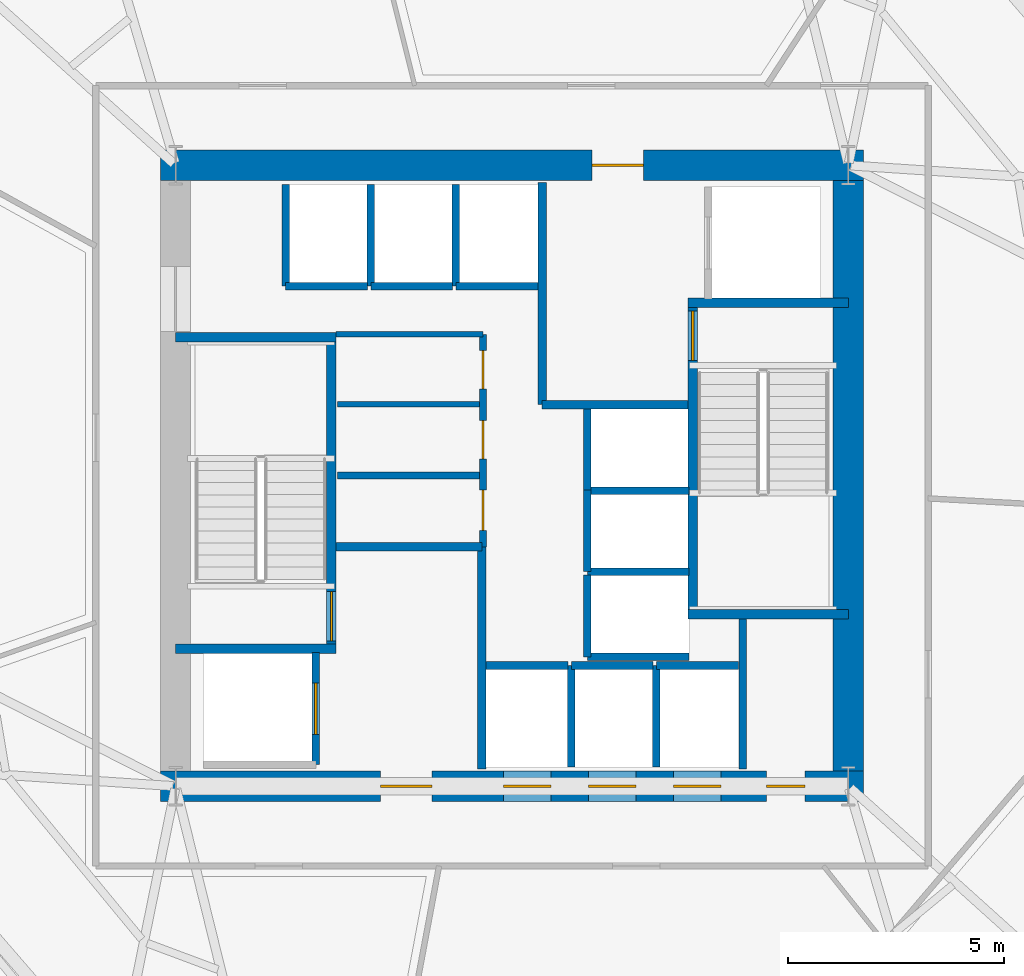
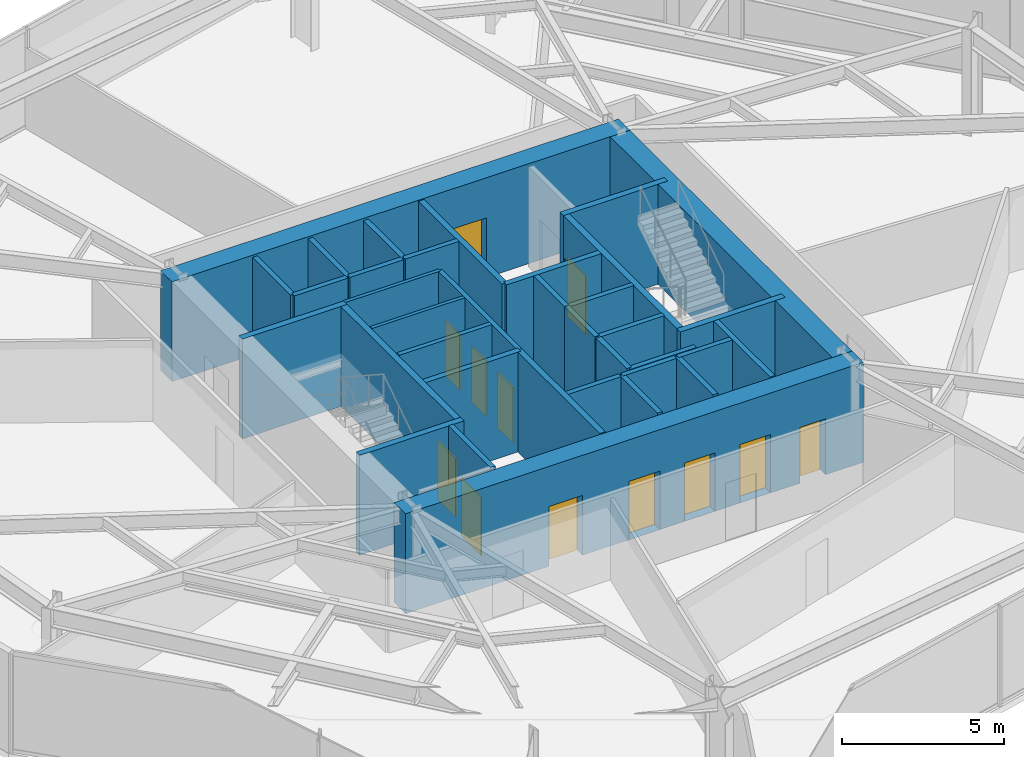
# One storey, part 6 of 10: 36 walls, 12 doors, 12 openings.
"""IFC4 building model written with IfcOpenShell, lengths in metres."""

from ifc_helpers import new_model, si_unit, direction, frame, frame_2d, origin, place, context, subcontext, project, spatial, rectangle, extrude, material, layer, layer_set, type_object, element, fill, save


model = new_model("IFC4")

# Units and contexts
model_context = context("Model", 3, precision=1e-05, world=origin(), true_north=direction((0.0, 1.0)))
body_context = subcontext(model_context, "Body", "Model", "MODEL_VIEW")
ifc_project = project(units=[si_unit("LENGTHUNIT", "METRE"), si_unit("AREAUNIT", "SQUARE_METRE"), si_unit("VOLUMEUNIT", "CUBIC_METRE"), si_unit("PLANEANGLEUNIT", "RADIAN"), si_unit("MASSUNIT", "GRAM", prefix="KILO")], contexts=[model_context])

# Site, building, storey
site_placement = place(None, origin())
site = spatial("IfcSite", under=ifc_project, at=site_placement, CompositionType="ELEMENT")
building_placement = place(site_placement, origin())
building = spatial("IfcBuilding", under=site, at=building_placement, Name="Kranzbogen Civic Tower", CompositionType="ELEMENT")
storey_placement = place(building_placement, frame((0.0, 0.0, 76.0)))
storey = spatial("IfcBuildingStorey", under=building, at=storey_placement, Name="L18", CompositionType="ELEMENT", Elevation=76.0)

# Walls
ifc_material_1 = material(Name="Insulated Metal-Stud Gypsum Partition")
ifc_layer_1 = layer(ifc_material_1, 0.125, Name="Insulated Metal-Stud Gypsum Partition")
ifc_layer_set_1 = layer_set([ifc_layer_1], Name="Insulated Metal-Stud Gypsum Partition")
wall_type_1 = type_object("IfcWallType", Name="Acoustic Inter-Room Partition 125 mm", PredefinedType="PARTITIONING", material=ifc_layer_set_1)
wall_1_placement = place(storey_placement, frame((20.919921875, 28.280029296875, 0.0), z_axis=(0.0, 0.0, 1.0), x_axis=(1.0, 0.0, 0.0)))
element("IfcWall", 1, at=wall_1_placement, inside=storey, type_object=wall_type_1, Name="L18 core auxiliary North wall", PredefinedType="PARTITIONING", context=body_context, shape_type="SweptSolid", body=[
    extrude(rectangle(XDim=3.405029296875, YDim=0.125, at=frame_2d((1.70263671875, 0.0))), origin(), (0.0, 0.0, 1.0), 3.760009765625),
])
wall_2_placement = place(storey_placement, frame((20.949951171875, 26.659912109375, 0.0), z_axis=(0.0, 0.0, 1.0), x_axis=(1.0, 0.0, 0.0)))
element("IfcWall", 2, at=wall_2_placement, inside=storey, type_object=wall_type_1, Name="L18 core auxiliary partition 2", PredefinedType="PARTITIONING", context=body_context, shape_type="SweptSolid", body=[
    extrude(rectangle(XDim=3.300048828125, YDim=0.125, at=frame_2d((1.64990234375, 0.0))), origin(), (0.0, 0.0, 1.0), 3.760009765625),
])

# Wall, openings, doors
ifc_material_2 = material(Name="Concrete C55/67", Category="concrete")
ifc_layer_2 = layer(ifc_material_2, 0.699951171875, Name="Concrete C55/67")
ifc_layer_set_2 = layer_set([ifc_layer_2], Name="Concrete C55/67")
wall_type_2 = type_object("IfcWallType", Name="Central Core Shear Wall 700 mm", PredefinedType="SHEAR", material=ifc_layer_set_2)
wall_3_placement = place(storey_placement, frame((16.85009765625, 17.800048828125, 0.0), z_axis=(0.0, 0.0, 1.0), x_axis=(1.0, 0.0, 0.0)))
wall_3 = element("IfcWall", 3, at=wall_3_placement, inside=storey, type_object=wall_type_2, Name="L18 central core South shear wall", PredefinedType="SHEAR", context=body_context, shape_type="SweptSolid", body=[
    extrude(rectangle(XDim=16.2998046875, YDim=0.699951171875, at=frame_2d((8.14990234375, 0.0))), origin(), (0.0, 0.0, 1.0), 3.760009765625),
])
opening_1_placement = place(wall_3_placement, frame((5.10009765625, 0.0, 0.0)))
opening_1 = element("IfcOpeningElement", 4, at=opening_1_placement, cuts=wall_3, Name="Opening D-EX120", PredefinedType="OPENING", context=body_context, shape_type="SweptSolid", body=[
    extrude(rectangle(XDim=1.199951171875, YDim=2.25, at=frame_2d((0.60009765625, 1.125))), frame((0.0, 0.35986328125, 0.0), z_axis=(0.0, -1.0, 0.0), x_axis=(1.0, 0.0, 0.0)), (0.0, 0.0, 1.0), 0.719970703125),
])
opening_2_placement = place(wall_3_placement, frame((14.050048828125, 0.0, 0.0)))
opening_2 = element("IfcOpeningElement", 5, at=opening_2_placement, cuts=wall_3, Name="Opening D-WC90", PredefinedType="OPENING", context=body_context, shape_type="SweptSolid", body=[
    extrude(rectangle(XDim=0.89990234375, YDim=2.10009765625, at=frame_2d((0.449951171875, 1.050048828125))), frame((0.0, 0.35986328125, 0.0), z_axis=(0.0, -1.0, 0.0), x_axis=(1.0, 0.0, 0.0)), (0.0, 0.0, 1.0), 0.719970703125),
])
opening_3_placement = place(wall_3_placement, frame((7.949951171875, 0.0, 0.0)))
opening_3 = element("IfcOpeningElement", 6, at=opening_3_placement, cuts=wall_3, Name="Opening LD-LP-01", PredefinedType="OPENING", context=body_context, shape_type="SweptSolid", body=[
    extrude(rectangle(XDim=1.10009765625, YDim=2.199951171875, at=frame_2d((0.550048828125, 1.10009765625))), frame((0.0, 0.35986328125, 0.0), z_axis=(0.0, -1.0, 0.0), x_axis=(1.0, 0.0, 0.0)), (0.0, 0.0, 1.0), 0.719970703125),
])
opening_4_placement = place(wall_3_placement, frame((9.925048828125, 0.0, 0.0)))
opening_4 = element("IfcOpeningElement", 7, at=opening_4_placement, cuts=wall_3, Name="Opening LD-LP-02", PredefinedType="OPENING", context=body_context, shape_type="SweptSolid", body=[
    extrude(rectangle(XDim=1.10009765625, YDim=2.199951171875, at=frame_2d((0.550048828125, 1.10009765625))), frame((0.0, 0.35986328125, 0.0), z_axis=(0.0, -1.0, 0.0), x_axis=(1.0, 0.0, 0.0)), (0.0, 0.0, 1.0), 0.719970703125),
])
opening_5_placement = place(wall_3_placement, frame((11.89990234375, 0.0, 0.0)))
opening_5 = element("IfcOpeningElement", 8, at=opening_5_placement, cuts=wall_3, Name="Opening LD-LP-03", PredefinedType="OPENING", context=body_context, shape_type="SweptSolid", body=[
    extrude(rectangle(XDim=1.10009765625, YDim=2.199951171875, at=frame_2d((0.550048828125, 1.10009765625))), frame((0.0, 0.35986328125, 0.0), z_axis=(0.0, -1.0, 0.0), x_axis=(1.0, 0.0, 0.0)), (0.0, 0.0, 1.0), 0.719970703125),
])
ifc_material_3 = material(Name="Steel S355", Category="steel")
door_type_1 = type_object("IfcDoorType", Name="Exit Passageway Fire Door 1200x2250", OperationType="NOTDEFINED", PredefinedType="DOOR", material=ifc_material_3)
door_1_placement = place(opening_1_placement, origin())
door_1 = element("IfcDoor", 9, at=door_1_placement, inside=storey, type_object=door_type_1, Name="L18 West firefighting lobby corridor door", OperationType="SINGLE_SWING_RIGHT", OverallHeight=2.25, OverallWidth=1.199951171875, PredefinedType="DOOR", context=body_context, shape_type="SweptSolid", body=[
    extrude(rectangle(XDim=1.199951171875, YDim=2.25, at=frame_2d((0.60009765625, 1.125))), frame((0.0, 0.02490234375, 0.0), z_axis=(0.0, -1.0, 0.0), x_axis=(1.0, 0.0, 0.0)), (0.0, 0.0, 1.0), 0.050048828125),
])
fill(opening_1, door_1)
ifc_material_4 = material(Name="Pale Anodised Aluminium", Category="aluminium")
door_type_2 = type_object("IfcDoorType", Name="Passenger Lift Sliding Landing Door 1100x2200", OperationType="DOUBLE_DOOR_SLIDING", PredefinedType="DOOR", material=ifc_material_4)
door_2_placement = place(opening_3_placement, origin())
door_2 = element("IfcDoor", 10, at=door_2_placement, inside=storey, type_object=door_type_2, Name="L18 lift LP-01 sliding landing door", OperationType="DOUBLE_DOOR_SLIDING", OverallHeight=2.199951171875, OverallWidth=1.10009765625, PredefinedType="DOOR", context=body_context, shape_type="SweptSolid", body=[
    extrude(rectangle(XDim=1.10009765625, YDim=2.199951171875, at=frame_2d((0.550048828125, 1.10009765625))), frame((0.0, 0.02490234375, 0.0), z_axis=(0.0, -1.0, 0.0), x_axis=(1.0, 0.0, 0.0)), (0.0, 0.0, 1.0), 0.050048828125),
])
fill(opening_3, door_2)
door_3_placement = place(opening_4_placement, origin())
door_3 = element("IfcDoor", 11, at=door_3_placement, inside=storey, type_object=door_type_2, Name="L18 lift LP-02 sliding landing door", OperationType="DOUBLE_DOOR_SLIDING", OverallHeight=2.199951171875, OverallWidth=1.10009765625, PredefinedType="DOOR", context=body_context, shape_type="SweptSolid", body=[
    extrude(rectangle(XDim=1.10009765625, YDim=2.199951171875, at=frame_2d((0.550048828125, 1.10009765625))), frame((0.0, 0.02490234375, 0.0), z_axis=(0.0, -1.0, 0.0), x_axis=(1.0, 0.0, 0.0)), (0.0, 0.0, 1.0), 0.050048828125),
])
fill(opening_4, door_3)
door_4_placement = place(opening_5_placement, origin())
door_4 = element("IfcDoor", 12, at=door_4_placement, inside=storey, type_object=door_type_2, Name="L18 lift LP-03 sliding landing door", OperationType="DOUBLE_DOOR_SLIDING", OverallHeight=2.199951171875, OverallWidth=1.10009765625, PredefinedType="DOOR", context=body_context, shape_type="SweptSolid", body=[
    extrude(rectangle(XDim=1.10009765625, YDim=2.199951171875, at=frame_2d((0.550048828125, 1.10009765625))), frame((0.0, 0.02490234375, 0.0), z_axis=(0.0, -1.0, 0.0), x_axis=(1.0, 0.0, 0.0)), (0.0, 0.0, 1.0), 0.050048828125),
])
fill(opening_5, door_4)
ifc_material_5 = material(Name="Moisture-Resistant Laminate")
door_type_3 = type_object("IfcDoorType", Name="Standard Restroom and Store Door 900x2100", OperationType="NOTDEFINED", PredefinedType="DOOR", material=ifc_material_5)
door_5_placement = place(opening_2_placement, origin())
door_5 = element("IfcDoor", 13, at=door_5_placement, inside=storey, type_object=door_type_3, Name="L18 East electrical riser access door", OperationType="SINGLE_SWING_LEFT", OverallHeight=2.10009765625, OverallWidth=0.89990234375, PredefinedType="DOOR", context=body_context, shape_type="SweptSolid", body=[
    extrude(rectangle(XDim=0.89990234375, YDim=2.10009765625, at=frame_2d((0.449951171875, 1.050048828125))), frame((0.0, 0.02490234375, 0.0), z_axis=(0.0, -1.0, 0.0), x_axis=(1.0, 0.0, 0.0)), (0.0, 0.0, 1.0), 0.050048828125),
])
fill(opening_2, door_5)

# Wall, opening, door
wall_4_placement = place(storey_placement, frame((33.14990234375, 32.199951171875, 0.0), z_axis=(0.0, 0.0, 1.0), x_axis=(-1.0, 0.0, 0.0)))
wall_4 = element("IfcWall", 14, at=wall_4_placement, inside=storey, type_object=wall_type_2, Name="L18 central core North shear wall", PredefinedType="SHEAR", context=body_context, shape_type="SweptSolid", body=[
    extrude(rectangle(XDim=16.2998046875, YDim=0.699951171875, at=frame_2d((8.14990234375, 0.0))), origin(), (0.0, 0.0, 1.0), 3.760009765625),
])
opening_6_placement = place(wall_4_placement, frame((5.10009765625, 0.0, 0.0)))
opening_6 = element("IfcOpeningElement", 15, at=opening_6_placement, cuts=wall_4, Name="Opening D-EX120", PredefinedType="OPENING", context=body_context, shape_type="SweptSolid", body=[
    extrude(rectangle(XDim=1.199951171875, YDim=2.25, at=frame_2d((0.60009765625, 1.125))), frame((0.0, 0.35986328125, 0.0), z_axis=(0.0, -1.0, 0.0), x_axis=(1.0, 0.0, 0.0)), (0.0, 0.0, 1.0), 0.719970703125),
])
door_6_placement = place(opening_6_placement, origin())
door_6 = element("IfcDoor", 16, at=door_6_placement, inside=storey, type_object=door_type_1, Name="L18 East firefighting lobby corridor door", OperationType="SINGLE_SWING_LEFT", OverallHeight=2.25, OverallWidth=1.199951171875, PredefinedType="DOOR", context=body_context, shape_type="SweptSolid", body=[
    extrude(rectangle(XDim=1.199951171875, YDim=2.25, at=frame_2d((0.60009765625, 1.125))), frame((0.0, 0.02490234375, 0.0), z_axis=(0.0, -1.0, 0.0), x_axis=(1.0, 0.0, 0.0)), (0.0, 0.0, 1.0), 0.050048828125),
])
fill(opening_6, door_6)

# Wall
wall_5_placement = place(storey_placement, frame((32.800048828125, 18.14990234375, 0.0), z_axis=(0.0, 0.0, 1.0), x_axis=(0.0, 1.0, 0.0)))
element("IfcWall", 17, at=wall_5_placement, inside=storey, type_object=wall_type_2, Name="L18 central core East shear wall", PredefinedType="SHEAR", context=body_context, shape_type="SweptSolid", body=[
    extrude(rectangle(XDim=13.7001953125, YDim=0.699951171875, at=frame_2d((6.85009765625, 0.0))), origin(), (0.0, 0.0, 1.0), 3.760009765625),
])

# Wall, opening, door
ifc_material_6 = material(Name="Concrete C45/55", Category="concrete")
ifc_layer_3 = layer(ifc_material_6, 0.219970703125, Name="Concrete C45/55")
ifc_layer_set_3 = layer_set([ifc_layer_3], Name="Concrete C45/55")
wall_type_3 = type_object("IfcWallType", Name="Core Internal Stair Structural Wall 220 mm", PredefinedType="SOLIDWALL", material=ifc_layer_set_3)
wall_6_placement = place(storey_placement, frame((20.81005859375, 20.989990234375, 0.0), z_axis=(0.0, 0.0, 1.0), x_axis=(0.0, 1.0, 0.0)))
wall_6 = element("IfcWall", 18, at=wall_6_placement, inside=storey, type_object=wall_type_3, Name="L18 ST-T1 East structural stair wall", PredefinedType="SOLIDWALL", context=body_context, shape_type="SweptSolid", body=[
    extrude(rectangle(XDim=7.219970703125, YDim=0.219970703125, at=frame_2d((3.60986328125, 0.0))), origin(), (0.0, 0.0, 1.0), 3.760009765625),
])
opening_7_placement = place(wall_6_placement, frame((0.179931640625, 0.0, 0.0)))
opening_7 = element("IfcOpeningElement", 19, at=opening_7_placement, cuts=wall_6, Name="Opening D-ST90", PredefinedType="OPENING", context=body_context, shape_type="SweptSolid", body=[
    extrude(rectangle(XDim=1.14990234375, YDim=2.199951171875, at=frame_2d((0.574951171875, 1.10009765625))), frame((0.0, 0.1201171875, 0.0), z_axis=(0.0, -1.0, 0.0), x_axis=(1.0, 0.0, 0.0)), (0.0, 0.0, 1.0), 0.239990234375),
])
door_type_4 = type_object("IfcDoorType", Name="Pressurized Stair and Lobby Fire Door 1150x2200", OperationType="NOTDEFINED", PredefinedType="DOOR", material=ifc_material_3)
door_7_placement = place(opening_7_placement, origin())
door_7 = element("IfcDoor", 20, at=door_7_placement, inside=storey, type_object=door_type_4, Name="L18 Stair ST-T1 fire door", OperationType="SINGLE_SWING_RIGHT", OverallHeight=2.199951171875, OverallWidth=1.14990234375, PredefinedType="DOOR", context=body_context, shape_type="SweptSolid", body=[
    extrude(rectangle(XDim=1.14990234375, YDim=2.199951171875, at=frame_2d((0.574951171875, 1.10009765625))), frame((0.0, 0.02490234375, 0.0), z_axis=(0.0, -1.0, 0.0), x_axis=(1.0, 0.0, 0.0)), (0.0, 0.0, 1.0), 0.050048828125),
])
fill(opening_7, door_7)

# Walls
for number, where, z_axis, x_axis, name in (
    (21, (17.199951171875, 20.989990234375, 0.0), (0.0, 0.0, 1.0), (1.0, 0.0, 0.0), "L18 ST-T1 South structural stair wall"),
    (22, (17.199951171875, 28.2099609375, 0.0), (0.0, 0.0, 1.0), (1.0, 0.0, 0.0), "L18 ST-T1 North structural stair wall"),
):
    element("IfcWall", number, at=place(storey_placement, frame(where, z_axis=z_axis, x_axis=x_axis)), inside=storey, type_object=wall_type_3, Name=name, PredefinedType="SOLIDWALL", context=body_context, shape_type="SweptSolid", body=[
        extrude(rectangle(XDim=3.719970703125, YDim=0.219970703125, at=frame_2d((1.85986328125, 0.0))), origin(), (0.0, 0.0, 1.0), 3.760009765625),
    ])

# Wall, opening, door
wall_7_placement = place(storey_placement, frame((29.18994140625, 21.7900390625, 0.0), z_axis=(0.0, 0.0, 1.0), x_axis=(0.0, 1.0, 0.0)))
wall_7 = element("IfcWall", 23, at=wall_7_placement, inside=storey, type_object=wall_type_3, Name="L18 ST-T2 West structural stair wall", PredefinedType="SOLIDWALL", context=body_context, shape_type="SweptSolid", body=[
    extrude(rectangle(XDim=7.219970703125, YDim=0.219970703125, at=frame_2d((3.60986328125, 0.0))), origin(), (0.0, 0.0, 1.0), 3.760009765625),
])
opening_8_placement = place(wall_7_placement, frame((5.8798828125, 0.0, 0.0)))
opening_8 = element("IfcOpeningElement", 24, at=opening_8_placement, cuts=wall_7, Name="Opening D-ST90", PredefinedType="OPENING", context=body_context, shape_type="SweptSolid", body=[
    extrude(rectangle(XDim=1.14990234375, YDim=2.199951171875, at=frame_2d((0.574951171875, 1.10009765625))), frame((0.0, 0.1201171875, 0.0), z_axis=(0.0, -1.0, 0.0), x_axis=(1.0, 0.0, 0.0)), (0.0, 0.0, 1.0), 0.239990234375),
])
door_8_placement = place(opening_8_placement, origin())
door_8 = element("IfcDoor", 25, at=door_8_placement, inside=storey, type_object=door_type_4, Name="L18 Stair ST-T2 fire door", OperationType="SINGLE_SWING_LEFT", OverallHeight=2.199951171875, OverallWidth=1.14990234375, PredefinedType="DOOR", context=body_context, shape_type="SweptSolid", body=[
    extrude(rectangle(XDim=1.14990234375, YDim=2.199951171875, at=frame_2d((0.574951171875, 1.10009765625))), frame((0.0, 0.02490234375, 0.0), z_axis=(0.0, -1.0, 0.0), x_axis=(1.0, 0.0, 0.0)), (0.0, 0.0, 1.0), 0.050048828125),
])
fill(opening_8, door_8)

# Walls
for number, where, z_axis, x_axis, name in (
    (26, (29.080078125, 21.7900390625, 0.0), (0.0, 0.0, 1.0), (1.0, 0.0, 0.0), "L18 ST-T2 South structural stair wall"),
    (27, (29.080078125, 29.010009765625, 0.0), (0.0, 0.0, 1.0), (1.0, 0.0, 0.0), "L18 ST-T2 North structural stair wall"),
):
    element("IfcWall", number, at=place(storey_placement, frame(where, z_axis=z_axis, x_axis=x_axis)), inside=storey, type_object=wall_type_3, Name=name, PredefinedType="SOLIDWALL", context=body_context, shape_type="SweptSolid", body=[
        extrude(rectangle(XDim=3.719970703125, YDim=0.219970703125, at=frame_2d((1.85986328125, 0.0))), origin(), (0.0, 0.0, 1.0), 3.760009765625),
    ])
ifc_material_7 = material(Name="Gypsum Fireboard and Concrete Block", Category="concrete")
ifc_layer_4 = layer(ifc_material_7, 0.199951171875, Name="Gypsum Fireboard and Concrete Block")
ifc_layer_set_4 = layer_set([ifc_layer_4], Name="Gypsum Fireboard and Concrete Block")
wall_type_4 = type_object("IfcWallType", Name="Fire-Rated Exit Passageway and Stair Wall 200 mm", PredefinedType="PARTITIONING", material=ifc_layer_set_4)
wall_8_placement = place(storey_placement, frame((24.300048828125, 18.199951171875, 0.0), z_axis=(0.0, 0.0, 1.0), x_axis=(0.0, 1.0, 0.0)))
element("IfcWall", 28, at=wall_8_placement, inside=storey, type_object=wall_type_4, Name="L18 West firefighting lobby East wall", PredefinedType="PARTITIONING", context=body_context, shape_type="SweptSolid", body=[
    extrude(rectangle(XDim=5.150146484375, YDim=0.199951171875, at=frame_2d((2.5751953125, 0.0))), origin(), (0.0, 0.0, 1.0), 3.760009765625),
])
wall_9_placement = place(storey_placement, frame((20.919921875, 23.35009765625, 0.0), z_axis=(0.0, 0.0, 1.0), x_axis=(1.0, 0.0, 0.0)))
element("IfcWall", 29, at=wall_9_placement, inside=storey, type_object=wall_type_4, Name="L18 West firefighting lobby North wall", PredefinedType="PARTITIONING", context=body_context, shape_type="SweptSolid", body=[
    extrude(rectangle(XDim=3.380126953125, YDim=0.199951171875, at=frame_2d((1.68994140625, 0.0))), origin(), (0.0, 0.0, 1.0), 3.760009765625),
])
wall_10_placement = place(storey_placement, frame((25.699951171875, 26.64990234375, 0.0), z_axis=(0.0, 0.0, 1.0), x_axis=(0.0, 1.0, 0.0)))
element("IfcWall", 30, at=wall_10_placement, inside=storey, type_object=wall_type_4, Name="L18 East firefighting lobby West wall", PredefinedType="PARTITIONING", context=body_context, shape_type="SweptSolid", body=[
    extrude(rectangle(XDim=5.150146484375, YDim=0.199951171875, at=frame_2d((2.5751953125, 0.0))), origin(), (0.0, 0.0, 1.0), 3.760009765625),
])
wall_11_placement = place(storey_placement, frame((25.699951171875, 26.64990234375, 0.0), z_axis=(0.0, 0.0, 1.0), x_axis=(1.0, 0.0, 0.0)))
element("IfcWall", 31, at=wall_11_placement, inside=storey, type_object=wall_type_4, Name="L18 East firefighting lobby South wall", PredefinedType="PARTITIONING", context=body_context, shape_type="SweptSolid", body=[
    extrude(rectangle(XDim=3.380126953125, YDim=0.199951171875, at=frame_2d((1.68994140625, 0.0))), origin(), (0.0, 0.0, 1.0), 3.760009765625),
])
ifc_material_8 = material(Name="Gypsum Fireboard Shaftliner")
ifc_layer_5 = layer(ifc_material_8, 0.175048828125, Name="Gypsum Fireboard Shaftliner")
ifc_layer_set_5 = layer_set([ifc_layer_5], Name="Gypsum Fireboard Shaftliner")
wall_type_5 = type_object("IfcWallType", Name="Fire-Rated Lift and Service Shaft Wall 175 mm", PredefinedType="PARTITIONING", material=ifc_layer_set_5)
wall_12_placement = place(storey_placement, frame((30.35009765625, 18.199951171875, 0.0), z_axis=(0.0, 0.0, 1.0), x_axis=(0.0, 1.0, 0.0)))
element("IfcWall", 32, at=wall_12_placement, inside=storey, type_object=wall_type_5, Name="L18 East core riser West wall", PredefinedType="PARTITIONING", context=body_context, shape_type="SweptSolid", body=[
    extrude(rectangle(XDim=3.47998046875, YDim=0.175048828125, at=frame_2d((1.739990234375, 0.0))), origin(), (0.0, 0.0, 1.0), 3.760009765625),
])
wall_13_placement = place(storey_placement, frame((24.39990234375, 20.60009765625, 0.0), z_axis=(0.0, 0.0, 1.0), x_axis=(1.0, 0.0, 0.0)))
element("IfcWall", 33, at=wall_13_placement, inside=storey, type_object=wall_type_5, Name="L18 lift LP-01 rear wall", PredefinedType="PARTITIONING", context=body_context, shape_type="SweptSolid", body=[
    extrude(rectangle(XDim=1.900146484375, YDim=0.175048828125, at=frame_2d((0.9501953125, 0.0))), origin(), (0.0, 0.0, 1.0), 3.760009765625),
])
wall_14_placement = place(storey_placement, frame((26.375, 20.60009765625, 0.0), z_axis=(0.0, 0.0, 1.0), x_axis=(1.0, 0.0, 0.0)))
element("IfcWall", 34, at=wall_14_placement, inside=storey, type_object=wall_type_5, Name="L18 lift LP-02 rear wall", PredefinedType="PARTITIONING", context=body_context, shape_type="SweptSolid", body=[
    extrude(rectangle(XDim=1.89990234375, YDim=0.175048828125, at=frame_2d((0.949951171875, 0.0))), origin(), (0.0, 0.0, 1.0), 3.760009765625),
])
wall_15_placement = place(storey_placement, frame((26.375, 18.25, 0.0), z_axis=(0.0, 0.0, 1.0), x_axis=(0.0, 1.0, 0.0)))
element("IfcWall", 35, at=wall_15_placement, inside=storey, type_object=wall_type_5, Name="L18 lift LP-02 side wall", PredefinedType="PARTITIONING", context=body_context, shape_type="SweptSolid", body=[
    extrude(rectangle(XDim=2.35009765625, YDim=0.175048828125, at=frame_2d((1.175048828125, 0.0))), origin(), (0.0, 0.0, 1.0), 3.760009765625),
])
wall_16_placement = place(storey_placement, frame((28.35009765625, 20.60009765625, 0.0), z_axis=(0.0, 0.0, 1.0), x_axis=(1.0, 0.0, 0.0)))
element("IfcWall", 36, at=wall_16_placement, inside=storey, type_object=wall_type_5, Name="L18 lift LP-03 rear wall", PredefinedType="PARTITIONING", context=body_context, shape_type="SweptSolid", body=[
    extrude(rectangle(XDim=1.89990234375, YDim=0.175048828125, at=frame_2d((0.949951171875, 0.0))), origin(), (0.0, 0.0, 1.0), 3.760009765625),
])
wall_17_placement = place(storey_placement, frame((28.35009765625, 18.25, 0.0), z_axis=(0.0, 0.0, 1.0), x_axis=(0.0, 1.0, 0.0)))
element("IfcWall", 37, at=wall_17_placement, inside=storey, type_object=wall_type_5, Name="L18 lift LP-03 side wall", PredefinedType="PARTITIONING", context=body_context, shape_type="SweptSolid", body=[
    extrude(rectangle(XDim=2.35009765625, YDim=0.175048828125, at=frame_2d((1.175048828125, 0.0))), origin(), (0.0, 0.0, 1.0), 3.760009765625),
])
wall_18_placement = place(storey_placement, frame((19.75, 29.39990234375, 0.0), z_axis=(0.0, 0.0, 1.0), x_axis=(1.0, 0.0, 0.0)))
element("IfcWall", 38, at=wall_18_placement, inside=storey, type_object=wall_type_5, Name="L18 lift MP-01 rear wall", PredefinedType="PARTITIONING", context=body_context, shape_type="SweptSolid", body=[
    extrude(rectangle(XDim=1.89990234375, YDim=0.175048828125, at=frame_2d((0.949951171875, 0.0))), origin(), (0.0, 0.0, 1.0), 3.760009765625),
])
wall_19_placement = place(storey_placement, frame((19.75, 29.39990234375, 0.0), z_axis=(0.0, 0.0, 1.0), x_axis=(0.0, 1.0, 0.0)))
element("IfcWall", 39, at=wall_19_placement, inside=storey, type_object=wall_type_5, Name="L18 lift MP-01 side wall", PredefinedType="PARTITIONING", context=body_context, shape_type="SweptSolid", body=[
    extrude(rectangle(XDim=2.35009765625, YDim=0.175048828125, at=frame_2d((1.175048828125, 0.0))), origin(), (0.0, 0.0, 1.0), 3.760009765625),
])
wall_20_placement = place(storey_placement, frame((21.72509765625, 29.39990234375, 0.0), z_axis=(0.0, 0.0, 1.0), x_axis=(1.0, 0.0, 0.0)))
element("IfcWall", 40, at=wall_20_placement, inside=storey, type_object=wall_type_5, Name="L18 lift MP-02 rear wall", PredefinedType="PARTITIONING", context=body_context, shape_type="SweptSolid", body=[
    extrude(rectangle(XDim=1.89990234375, YDim=0.175048828125, at=frame_2d((0.949951171875, 0.0))), origin(), (0.0, 0.0, 1.0), 3.760009765625),
])
wall_21_placement = place(storey_placement, frame((21.72509765625, 29.39990234375, 0.0), z_axis=(0.0, 0.0, 1.0), x_axis=(0.0, 1.0, 0.0)))
element("IfcWall", 41, at=wall_21_placement, inside=storey, type_object=wall_type_5, Name="L18 lift MP-02 side wall", PredefinedType="PARTITIONING", context=body_context, shape_type="SweptSolid", body=[
    extrude(rectangle(XDim=2.35009765625, YDim=0.175048828125, at=frame_2d((1.175048828125, 0.0))), origin(), (0.0, 0.0, 1.0), 3.760009765625),
])
wall_22_placement = place(storey_placement, frame((23.699951171875, 29.39990234375, 0.0), z_axis=(0.0, 0.0, 1.0), x_axis=(1.0, 0.0, 0.0)))
element("IfcWall", 42, at=wall_22_placement, inside=storey, type_object=wall_type_5, Name="L18 lift MP-03 rear wall", PredefinedType="PARTITIONING", context=body_context, shape_type="SweptSolid", body=[
    extrude(rectangle(XDim=1.900146484375, YDim=0.175048828125, at=frame_2d((0.9501953125, 0.0))), origin(), (0.0, 0.0, 1.0), 3.760009765625),
])
wall_23_placement = place(storey_placement, frame((23.699951171875, 29.39990234375, 0.0), z_axis=(0.0, 0.0, 1.0), x_axis=(0.0, 1.0, 0.0)))
element("IfcWall", 43, at=wall_23_placement, inside=storey, type_object=wall_type_5, Name="L18 lift MP-03 side wall", PredefinedType="PARTITIONING", context=body_context, shape_type="SweptSolid", body=[
    extrude(rectangle(XDim=2.35009765625, YDim=0.175048828125, at=frame_2d((1.175048828125, 0.0))), origin(), (0.0, 0.0, 1.0), 3.760009765625),
])
wall_24_placement = place(storey_placement, frame((26.75, 20.800048828125, 0.0), z_axis=(0.0, 0.0, 1.0), x_axis=(0.0, 1.0, 0.0)))
element("IfcWall", 44, at=wall_24_placement, inside=storey, type_object=wall_type_5, Name="L18 lift HP-01 landing wall", PredefinedType="PARTITIONING", context=body_context, shape_type="SweptSolid", body=[
    extrude(rectangle(XDim=1.89990234375, YDim=0.175048828125, at=frame_2d((0.949951171875, 0.0))), origin(), (0.0, 0.0, 1.0), 3.760009765625),
])
wall_25_placement = place(storey_placement, frame((26.75, 20.800048828125, 0.0), z_axis=(0.0, 0.0, 1.0), x_axis=(1.0, 0.0, 0.0)))
element("IfcWall", 45, at=wall_25_placement, inside=storey, type_object=wall_type_5, Name="L18 lift HP-01 side wall", PredefinedType="PARTITIONING", context=body_context, shape_type="SweptSolid", body=[
    extrude(rectangle(XDim=2.35009765625, YDim=0.175048828125, at=frame_2d((1.175048828125, 0.0))), origin(), (0.0, 0.0, 1.0), 3.760009765625),
])
wall_26_placement = place(storey_placement, frame((26.75, 22.77490234375, 0.0), z_axis=(0.0, 0.0, 1.0), x_axis=(0.0, 1.0, 0.0)))
element("IfcWall", 46, at=wall_26_placement, inside=storey, type_object=wall_type_5, Name="L18 lift HP-02 landing wall", PredefinedType="PARTITIONING", context=body_context, shape_type="SweptSolid", body=[
    extrude(rectangle(XDim=1.900146484375, YDim=0.175048828125, at=frame_2d((0.9501953125, 0.0))), origin(), (0.0, 0.0, 1.0), 3.760009765625),
])
wall_27_placement = place(storey_placement, frame((26.75, 22.77490234375, 0.0), z_axis=(0.0, 0.0, 1.0), x_axis=(1.0, 0.0, 0.0)))
element("IfcWall", 47, at=wall_27_placement, inside=storey, type_object=wall_type_5, Name="L18 lift HP-02 side wall", PredefinedType="PARTITIONING", context=body_context, shape_type="SweptSolid", body=[
    extrude(rectangle(XDim=2.35009765625, YDim=0.175048828125, at=frame_2d((1.175048828125, 0.0))), origin(), (0.0, 0.0, 1.0), 3.760009765625),
])
wall_28_placement = place(storey_placement, frame((26.75, 24.64990234375, 0.0), z_axis=(0.0, 0.0, 1.0), x_axis=(0.0, 1.0, 0.0)))
element("IfcWall", 48, at=wall_28_placement, inside=storey, type_object=wall_type_5, Name="L18 lift HP-03 landing wall", PredefinedType="PARTITIONING", context=body_context, shape_type="SweptSolid", body=[
    extrude(rectangle(XDim=1.900146484375, YDim=0.175048828125, at=frame_2d((0.9501953125, 0.0))), origin(), (0.0, 0.0, 1.0), 3.760009765625),
])
wall_29_placement = place(storey_placement, frame((26.75, 24.64990234375, 0.0), z_axis=(0.0, 0.0, 1.0), x_axis=(1.0, 0.0, 0.0)))
element("IfcWall", 49, at=wall_29_placement, inside=storey, type_object=wall_type_5, Name="L18 lift HP-03 side wall", PredefinedType="PARTITIONING", context=body_context, shape_type="SweptSolid", body=[
    extrude(rectangle(XDim=2.35009765625, YDim=0.175048828125, at=frame_2d((1.175048828125, 0.0))), origin(), (0.0, 0.0, 1.0), 3.760009765625),
])

# Wall, opening, door
wall_30_placement = place(storey_placement, frame((20.449951171875, 18.300048828125, 0.0), z_axis=(0.0, 0.0, 1.0), x_axis=(0.0, 1.0, 0.0)))
wall_30 = element("IfcWall", 50, at=wall_30_placement, inside=storey, type_object=wall_type_5, Name="L18 lift FF-01 landing wall", PredefinedType="PARTITIONING", context=body_context, shape_type="SweptSolid", body=[
    extrude(rectangle(XDim=2.599853515625, YDim=0.175048828125, at=frame_2d((1.2998046875, 0.0))), origin(), (0.0, 0.0, 1.0), 3.760009765625),
])
opening_9_placement = place(wall_30_placement, frame((0.699951171875, 0.0, 0.0)))
opening_9 = element("IfcOpeningElement", 51, at=opening_9_placement, cuts=wall_30, Name="Opening LD-FF-01", PredefinedType="OPENING", context=body_context, shape_type="SweptSolid", body=[
    extrude(rectangle(XDim=1.199951171875, YDim=2.199951171875, at=frame_2d((0.60009765625, 1.10009765625))), frame((0.0, 0.09765625, 0.0), z_axis=(0.0, -1.0, 0.0), x_axis=(1.0, 0.0, 0.0)), (0.0, 0.0, 1.0), 0.195068359375),
])
door_type_5 = type_object("IfcDoorType", Name="Firefighting and Stretcher Lift Sliding Landing Door 1200x2200", OperationType="DOUBLE_DOOR_SLIDING", PredefinedType="DOOR", material=ifc_material_4)
door_9_placement = place(opening_9_placement, origin())
door_9 = element("IfcDoor", 52, at=door_9_placement, inside=storey, type_object=door_type_5, Name="L18 lift FF-01 sliding landing door", OperationType="DOUBLE_DOOR_SLIDING", OverallHeight=2.199951171875, OverallWidth=1.199951171875, PredefinedType="DOOR", context=body_context, shape_type="SweptSolid", body=[
    extrude(rectangle(XDim=1.199951171875, YDim=2.199951171875, at=frame_2d((0.60009765625, 1.10009765625))), frame((0.0, 0.02490234375, 0.0), z_axis=(0.0, -1.0, 0.0), x_axis=(1.0, 0.0, 0.0)), (0.0, 0.0, 1.0), 0.050048828125),
])
fill(opening_9, door_9)

# Wall, openings, doors
ifc_material_9 = material(Name="Moisture-Resistant Gypsum Assembly")
ifc_layer_6 = layer(ifc_material_9, 0.159912109375, Name="Moisture-Resistant Gypsum Assembly")
ifc_layer_set_6 = layer_set([ifc_layer_6], Name="Moisture-Resistant Gypsum Assembly")
wall_type_6 = type_object("IfcWallType", Name="Sanitary and Plumbing Wet Wall 160 mm", PredefinedType="PLUMBINGWALL", material=ifc_layer_set_6)
wall_31_placement = place(storey_placement, frame((24.324951171875, 23.35009765625, 0.0), z_axis=(0.0, 0.0, 1.0), x_axis=(0.0, 1.0, 0.0)))
wall_31 = element("IfcWall", 53, at=wall_31_placement, inside=storey, type_object=wall_type_6, Name="L18 core auxiliary East wall", PredefinedType="PLUMBINGWALL", context=body_context, shape_type="SweptSolid", body=[
    extrude(rectangle(XDim=4.929931640625, YDim=0.159912109375, at=frame_2d((2.46484375, 0.0))), origin(), (0.0, 0.0, 1.0), 3.760009765625),
])
opening_10_placement = place(wall_31_placement, frame((0.375, 0.0, 0.0)))
opening_10 = element("IfcOpeningElement", 54, at=opening_10_placement, cuts=wall_31, Name="Opening D-AWC95", PredefinedType="OPENING", context=body_context, shape_type="SweptSolid", body=[
    extrude(rectangle(XDim=0.949951171875, YDim=2.10009765625, at=frame_2d((0.47509765625, 1.050048828125))), frame((0.0, 0.08984375, 0.0), z_axis=(0.0, -1.0, 0.0), x_axis=(1.0, 0.0, 0.0)), (0.0, 0.0, 1.0), 0.179931640625),
])
opening_11_placement = place(wall_31_placement, frame((2.034912109375, 0.0, 0.0)))
opening_11 = element("IfcOpeningElement", 55, at=opening_11_placement, cuts=wall_31, Name="Opening D-WC90", PredefinedType="OPENING", context=body_context, shape_type="SweptSolid", body=[
    extrude(rectangle(XDim=0.89990234375, YDim=2.10009765625, at=frame_2d((0.449951171875, 1.050048828125))), frame((0.0, 0.08984375, 0.0), z_axis=(0.0, -1.0, 0.0), x_axis=(1.0, 0.0, 0.0)), (0.0, 0.0, 1.0), 0.179931640625),
])
opening_12_placement = place(wall_31_placement, frame((3.659912109375, 0.0, 0.0)))
opening_12 = element("IfcOpeningElement", 56, at=opening_12_placement, cuts=wall_31, Name="Opening D-WC90", PredefinedType="OPENING", context=body_context, shape_type="SweptSolid", body=[
    extrude(rectangle(XDim=0.89990234375, YDim=2.10009765625, at=frame_2d((0.449951171875, 1.050048828125))), frame((0.0, 0.08984375, 0.0), z_axis=(0.0, -1.0, 0.0), x_axis=(1.0, 0.0, 0.0)), (0.0, 0.0, 1.0), 0.179931640625),
])
door_type_6 = type_object("IfcDoorType", Name="Accessible Restroom Door 950x2100", OperationType="NOTDEFINED", PredefinedType="DOOR", material=ifc_material_5)
door_10_placement = place(opening_10_placement, origin())
door_10 = element("IfcDoor", 57, at=door_10_placement, inside=storey, type_object=door_type_6, Name="L18 Accessible Restroom door", OperationType="SINGLE_SWING_RIGHT", OverallHeight=2.10009765625, OverallWidth=0.949951171875, PredefinedType="DOOR", context=body_context, shape_type="SweptSolid", body=[
    extrude(rectangle(XDim=0.949951171875, YDim=2.10009765625, at=frame_2d((0.47509765625, 1.050048828125))), frame((0.0, 0.02490234375, 0.0), z_axis=(0.0, -1.0, 0.0), x_axis=(1.0, 0.0, 0.0)), (0.0, 0.0, 1.0), 0.050048828125),
])
fill(opening_10, door_10)
door_11_placement = place(opening_11_placement, origin())
door_11 = element("IfcDoor", 58, at=door_11_placement, inside=storey, type_object=door_type_3, Name="L18 Staff Restroom door", OperationType="SINGLE_SWING_LEFT", OverallHeight=2.10009765625, OverallWidth=0.89990234375, PredefinedType="DOOR", context=body_context, shape_type="SweptSolid", body=[
    extrude(rectangle(XDim=0.89990234375, YDim=2.10009765625, at=frame_2d((0.449951171875, 1.050048828125))), frame((0.0, 0.02490234375, 0.0), z_axis=(0.0, -1.0, 0.0), x_axis=(1.0, 0.0, 0.0)), (0.0, 0.0, 1.0), 0.050048828125),
])
fill(opening_11, door_11)
door_12_placement = place(opening_12_placement, origin())
door_12 = element("IfcDoor", 59, at=door_12_placement, inside=storey, type_object=door_type_3, Name="L18 Cleaner and Janitor Store door", OperationType="SINGLE_SWING_RIGHT", OverallHeight=2.10009765625, OverallWidth=0.89990234375, PredefinedType="DOOR", context=body_context, shape_type="SweptSolid", body=[
    extrude(rectangle(XDim=0.89990234375, YDim=2.10009765625, at=frame_2d((0.449951171875, 1.050048828125))), frame((0.0, 0.02490234375, 0.0), z_axis=(0.0, -1.0, 0.0), x_axis=(1.0, 0.0, 0.0)), (0.0, 0.0, 1.0), 0.050048828125),
])
fill(opening_12, door_12)

# Wall
wall_32_placement = place(storey_placement, frame((20.949951171875, 25.010009765625, 0.0), z_axis=(0.0, 0.0, 1.0), x_axis=(1.0, 0.0, 0.0)))
element("IfcWall", 60, at=wall_32_placement, inside=storey, type_object=wall_type_6, Name="L18 core auxiliary partition 1", PredefinedType="PLUMBINGWALL", context=body_context, shape_type="SweptSolid", body=[
    extrude(rectangle(XDim=3.300048828125, YDim=0.159912109375, at=frame_2d((1.64990234375, 0.0))), origin(), (0.0, 0.0, 1.0), 3.760009765625),
])

save(model, "model.ifc")
